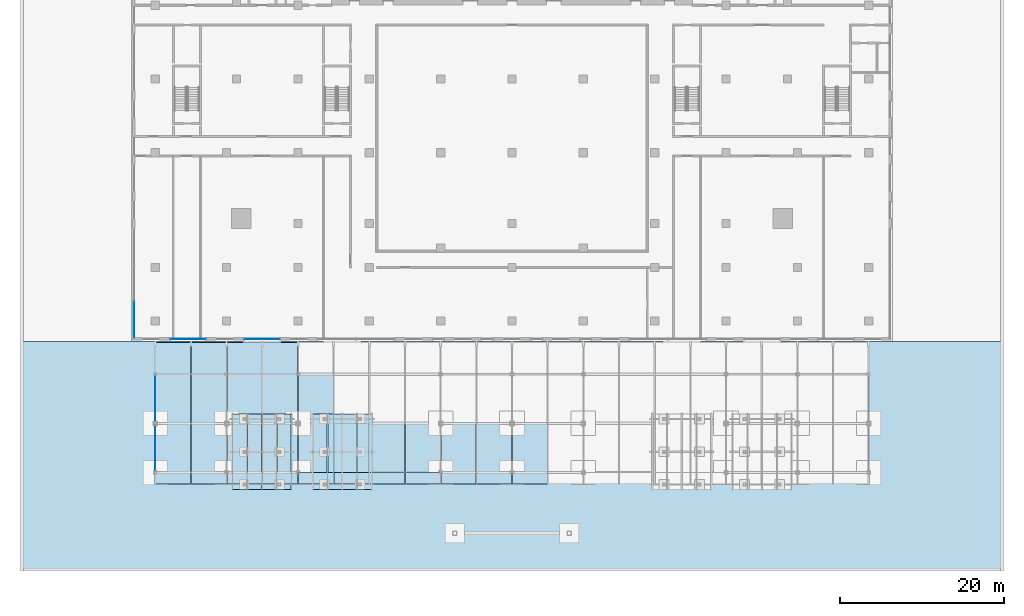
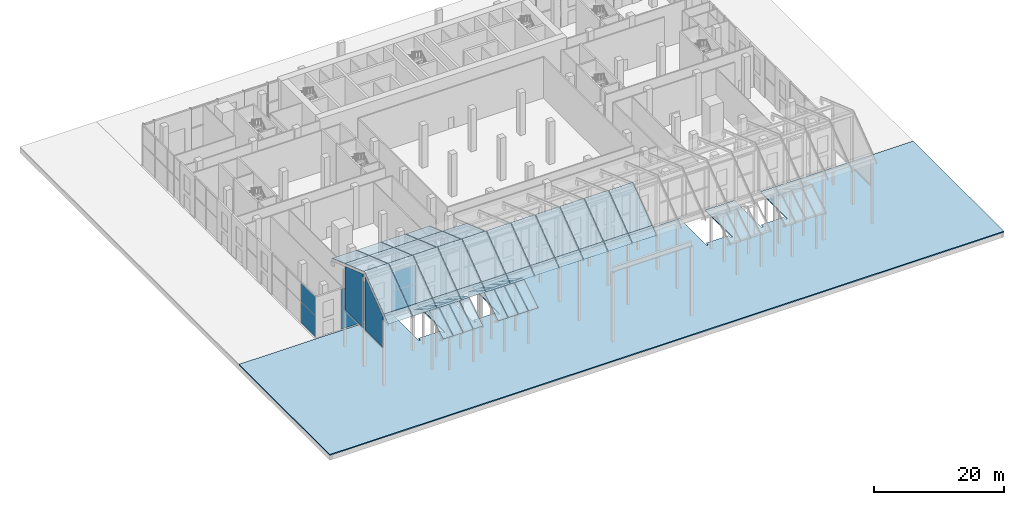
# One storey, part 16 of 31: 55 plates, 1 slab, 3 elements without a shape of their own.
"""IFC4 building model written with IfcOpenShell, lengths in metres."""

from ifc_helpers import new_model, si_unit, direction, frame, origin, origin_2d, place, context, subcontext, project, spatial, polyline, rectangle, outline, extrude, material, layer, layer_set, layer_usage, type_object, element, aggregate, save


model = new_model("IFC4")

# Units and contexts
model_context = context("Model", 3, precision=1e-05, world=origin(), true_north=direction((0.0, 1.0)))
body_context = subcontext(model_context, "Body", "Model", "MODEL_VIEW")
ifc_project = project(units=[si_unit("LENGTHUNIT", "METRE"), si_unit("AREAUNIT", "SQUARE_METRE"), si_unit("VOLUMEUNIT", "CUBIC_METRE"), si_unit("PLANEANGLEUNIT", "RADIAN"), si_unit("MASSUNIT", "GRAM", prefix="KILO")], contexts=[model_context])

# Site, building, storey
site_placement = place(None, origin())
site = spatial("IfcSite", under=ifc_project, at=site_placement, CompositionType="ELEMENT")
building_placement = place(site_placement, origin())
building = spatial("IfcBuilding", under=site, at=building_placement, Name="Bicima Exchange Tower", CompositionType="ELEMENT")
storey_placement = place(building_placement, origin())
storey = spatial("IfcBuildingStorey", under=building, at=storey_placement, Name="L00", CompositionType="ELEMENT", Elevation=0.0)

# Slab
ifc_material_1 = material(Name="Granite paving", Category="masonry")
ifc_layer_1 = layer(ifc_material_1, 0.2)
ifc_layer_set_1 = layer_set([ifc_layer_1], Name="Granite paving")
ifc_layer_usage = layer_usage(ifc_layer_set_1, "AXIS3", "POSITIVE", 0.0)
slab_type = type_object("IfcSlabType", Name="Granite paving 200", PredefinedType="USERDEFINED", material=ifc_layer_set_1)
slab_placement = place(storey_placement, frame((0.0, 0.0, -0.199951171875)))
element("IfcSlab", 1, at=slab_placement, inside=storey, type_object=slab_type, material=ifc_layer_usage, Name="Paving plaza", ObjectType="PAVING", PredefinedType="USERDEFINED", context=body_context, shape_type="SweptSolid", body=[
    extrude(outline(polyline([(60.0, -54.0), (60.0, -82.0), (-60.0, -82.0), (-60.0, -54.0), (-32.800048828125, -54.0), (-32.800048828125, -62.360107421875), (-32.5, -62.360107421875), (-32.5, -61.760009765625), (-28.5, -61.760009765625), (-28.5, -62.360107421875), (-28.199951171875, -62.360107421875), (-28.199951171875, -54.0), (-23.0, -54.0), (-23.0, -62.360107421875), (-22.699951171875, -62.360107421875), (-22.699951171875, -61.760009765625), (-18.699951171875, -61.760009765625), (-18.699951171875, -62.360107421875), (-18.39990234375, -62.360107421875), (-18.39990234375, -54.0), (18.39990234375, -54.0), (18.39990234375, -62.360107421875), (18.699951171875, -62.360107421875), (18.699951171875, -61.760009765625), (22.699951171875, -61.760009765625), (22.699951171875, -62.360107421875), (23.0, -62.360107421875), (23.0, -54.0), (28.199951171875, -54.0), (28.199951171875, -62.360107421875), (28.5, -62.360107421875), (28.5, -61.760009765625), (32.5, -61.760009765625), (32.5, -62.360107421875), (32.800048828125, -62.360107421875), (32.800048828125, -54.0), (60.0, -54.0)])), origin(), (0.0, 0.0, 1.0), 0.199951171875),
])

# Curtain wall, plates
ifc_material_2 = material(Name="Stainless steel", Category="steel")
curtain_wall_type_1 = type_object("IfcCurtainWallType", Name="Hall structural glazing", PredefinedType="NOTDEFINED", material=ifc_material_2)
curtain_wall_1_placement = place(storey_placement, origin())
curtain_wall_1 = element("IfcCurtainWall", 2, at=curtain_wall_1_placement, inside=storey, type_object=curtain_wall_type_1, Name="Podium glazing L00 south 2", PredefinedType="NOTDEFINED")
ifc_material_3 = material(Name="Clear low-iron glass", Category="glass")
ifc_layer_2 = layer(ifc_material_3, 0.0439453125)
ifc_layer_set_2 = layer_set([ifc_layer_2], Name="Clear low-iron glass")
plate_type_1 = type_object("IfcPlateType", Name="Hall structural glazing glass panel 44", PredefinedType="CURTAIN_PANEL", material=ifc_layer_set_2)
plate_1_placement = place(storey_placement, frame((-39.5, -53.699951171875, 0.0), z_axis=(0.0, 0.0, 1.0), x_axis=(1.0, 0.0, 0.0)))
plate_1 = element("IfcPlate", 3, at=plate_1_placement, type_object=plate_type_1, Name="Hall structural glazing panel 1.1", PredefinedType="CURTAIN_PANEL", context=body_context, shape_type="SweptSolid", body=[
    extrude(rectangle(XDim=4.340087890625, YDim=0.0439453125, at=origin_2d()), origin(), (0.0, 0.0, 1.0), 3.89990234375),
])
plate_2_placement = place(storey_placement, frame((-39.5, -53.699951171875, 4.0), z_axis=(0.0, 0.0, 1.0), x_axis=(1.0, 0.0, 0.0)))
plate_2 = element("IfcPlate", 4, at=plate_2_placement, type_object=plate_type_1, Name="Hall structural glazing panel 1.2", PredefinedType="CURTAIN_PANEL", context=body_context, shape_type="SweptSolid", body=[
    extrude(rectangle(XDim=4.340087890625, YDim=0.0439453125, at=origin_2d()), origin(), (0.0, 0.0, 1.0), 3.5),
])
aggregate(curtain_wall_1, [plate_1, plate_2])

curtain_wall_2_placement = place(storey_placement, origin())
curtain_wall_2 = element("IfcCurtainWall", 5, at=curtain_wall_2_placement, inside=storey, type_object=curtain_wall_type_1, Name="Podium glazing L00 south 4", PredefinedType="NOTDEFINED")
plate_3_placement = place(storey_placement, frame((-30.5, -53.699951171875, 0.0), z_axis=(0.0, 0.0, 1.0), x_axis=(1.0, 0.0, 0.0)))
plate_3 = element("IfcPlate", 6, at=plate_3_placement, type_object=plate_type_1, Name="Hall structural glazing panel 1.1", PredefinedType="CURTAIN_PANEL", context=body_context, shape_type="SweptSolid", body=[
    extrude(rectangle(XDim=4.340087890625, YDim=0.0439453125, at=origin_2d()), origin(), (0.0, 0.0, 1.0), 3.89990234375),
])
plate_4_placement = place(storey_placement, frame((-30.5, -53.699951171875, 4.0), z_axis=(0.0, 0.0, 1.0), x_axis=(1.0, 0.0, 0.0)))
plate_4 = element("IfcPlate", 7, at=plate_4_placement, type_object=plate_type_1, Name="Hall structural glazing panel 1.2", PredefinedType="CURTAIN_PANEL", context=body_context, shape_type="SweptSolid", body=[
    extrude(rectangle(XDim=4.340087890625, YDim=0.0439453125, at=origin_2d()), origin(), (0.0, 0.0, 1.0), 3.5),
])
aggregate(curtain_wall_2, [plate_3, plate_4])

ifc_material_4 = material(Name="Anodised bronze aluminium", Category="aluminium")
curtain_wall_type_2 = type_object("IfcCurtainWallType", Name="Lobby glazing", PredefinedType="NOTDEFINED", material=ifc_material_4)
curtain_wall_3_placement = place(storey_placement, origin())
curtain_wall_3 = element("IfcCurtainWall", 8, at=curtain_wall_3_placement, inside=storey, type_object=curtain_wall_type_2, Name="Podium glazing L00 west 8", PredefinedType="NOTDEFINED")
ifc_layer_3 = layer(ifc_material_3, 0.035888671875)
ifc_layer_set_3 = layer_set([ifc_layer_3], Name="Clear low-iron glass")
plate_type_2 = type_object("IfcPlateType", Name="Lobby glazing glass panel 36", PredefinedType="CURTAIN_PANEL", material=ifc_layer_set_3)
plate_5_placement = place(storey_placement, frame((-46.10009765625, -51.35498046875, 0.0), z_axis=(0.0, 0.0, 1.0), x_axis=(0.0, -1.0, 0.0)))
plate_5 = element("IfcPlate", 9, at=plate_5_placement, type_object=plate_type_2, Name="Lobby glazing panel 3.1", PredefinedType="CURTAIN_PANEL", context=body_context, shape_type="SweptSolid", body=[
    extrude(rectangle(XDim=4.3701171875, YDim=0.035888671875, at=origin_2d()), origin(), (0.0, 0.0, 1.0), 3.929931640625),
])
plate_6_placement = place(storey_placement, frame((-46.10009765625, -51.35498046875, 4.0), z_axis=(0.0, 0.0, 1.0), x_axis=(0.0, -1.0, 0.0)))
plate_6 = element("IfcPlate", 10, at=plate_6_placement, type_object=plate_type_2, Name="Lobby glazing panel 3.2", PredefinedType="CURTAIN_PANEL", context=body_context, shape_type="SweptSolid", body=[
    extrude(rectangle(XDim=4.3701171875, YDim=0.035888671875, at=origin_2d()), origin(), (0.0, 0.0, 1.0), 3.56005859375),
])
aggregate(curtain_wall_3, [plate_5, plate_6])

# Plates
ifc_material_5 = material(Name="Bronze tinted glass", Category="glass")
ifc_layer_4 = layer(ifc_material_5, 0.035888671875)
ifc_layer_set_4 = layer_set([ifc_layer_4], Name="Bronze tinted glass")
plate_type_3 = type_object("IfcPlateType", Name="Portico roof glass 36", PredefinedType="SHEET", material=ifc_layer_set_4)
plate_7_placement = place(storey_placement, frame((-43.4599609375, -54.10009765625, 14.251708984375), z_axis=(0.0, 0.329091475255, 0.944298046654), x_axis=(1.0, 0.0, 0.0)))
element("IfcPlate", 11, at=plate_7_placement, inside=storey, type_object=plate_type_3, Name="Portico roof glass", PredefinedType="SHEET", context=body_context, shape_type="SweptSolid", body=[
    extrude(outline(polyline([(0.0, 0.0), (4.27001953125, 0.0), (4.27001953125, -4.129948544920647), (0.0, -4.129948544920647), (0.0, 0.0)])), origin(), (0.0, 0.0, -1.0), 0.035888671875),
])
plate_8_placement = place(storey_placement, frame((-43.4599609375, -58.0, 15.61083984375), z_axis=(0.0, 0.329165826501, 0.944272131678), x_axis=(1.0, 0.0, 0.0)))
element("IfcPlate", 12, at=plate_8_placement, inside=storey, type_object=plate_type_3, Name="Portico roof glass", PredefinedType="SHEET", context=body_context, shape_type="SweptSolid", body=[
    extrude(outline(polyline([(0.0, 0.0), (4.27001953125, 0.0), (4.27001953125, -6.3541004745496075), (0.0, -6.3541004745496075), (0.0, 0.0)])), origin(), (0.0, 0.0, -1.0), 0.035888671875),
])
plate_9_placement = place(storey_placement, frame((-43.4599609375, -64.0, 17.82568359375), z_axis=(0.0, -0.598685075309, 0.800984507093), x_axis=(1.0, 0.0, 0.0)))
element("IfcPlate", 13, at=plate_9_placement, inside=storey, type_object=plate_type_3, Name="Portico roof glass", PredefinedType="SHEET", context=body_context, shape_type="SweptSolid", body=[
    extrude(outline(polyline([(0.0, 0.0), (4.27001953125, 0.0), (4.27001953125, -7.490781590492418), (0.0, -7.490781590492418), (0.0, 0.0)])), origin(), (0.0, 0.0, -1.0), 0.035888671875),
])
plate_10_placement = place(storey_placement, frame((-43.4599609375, -70.0, 13.341064453125), z_axis=(0.0, -0.598792513657, 0.800904192515), x_axis=(1.0, 0.0, 0.0)))
element("IfcPlate", 14, at=plate_10_placement, inside=storey, type_object=plate_type_3, Name="Portico roof glass", PredefinedType="SHEET", context=body_context, shape_type="SweptSolid", body=[
    extrude(outline(polyline([(0.0, 0.0), (4.27001953125, 0.0), (4.27001953125, -1.7479023793772908), (0.0, -1.7479023793772908), (0.0, 0.0)])), origin(), (0.0, 0.0, -1.0), 0.035888671875),
])
plate_11_placement = place(storey_placement, frame((-39.110107421875, -54.10009765625, 14.251708984375), z_axis=(0.0, 0.329091475255, 0.944298046654), x_axis=(1.0, 0.0, 0.0)))
element("IfcPlate", 15, at=plate_11_placement, inside=storey, type_object=plate_type_3, Name="Portico roof glass", PredefinedType="SHEET", context=body_context, shape_type="SweptSolid", body=[
    extrude(outline(polyline([(0.0, 0.0), (4.27001953125, 0.0), (4.27001953125, -4.129948544920647), (0.0, -4.129948544920647), (0.0, 0.0)])), origin(), (0.0, 0.0, -1.0), 0.035888671875),
])
plate_12_placement = place(storey_placement, frame((-39.110107421875, -58.0, 15.61083984375), z_axis=(0.0, 0.329165826501, 0.944272131678), x_axis=(1.0, 0.0, 0.0)))
element("IfcPlate", 16, at=plate_12_placement, inside=storey, type_object=plate_type_3, Name="Portico roof glass", PredefinedType="SHEET", context=body_context, shape_type="SweptSolid", body=[
    extrude(outline(polyline([(0.0, 0.0), (4.27001953125, 0.0), (4.27001953125, -6.3541004745496075), (0.0, -6.3541004745496075), (0.0, 0.0)])), origin(), (0.0, 0.0, -1.0), 0.035888671875),
])
plate_13_placement = place(storey_placement, frame((-39.110107421875, -64.0, 17.82568359375), z_axis=(0.0, -0.598685075309, 0.800984507093), x_axis=(1.0, 0.0, 0.0)))
element("IfcPlate", 17, at=plate_13_placement, inside=storey, type_object=plate_type_3, Name="Portico roof glass", PredefinedType="SHEET", context=body_context, shape_type="SweptSolid", body=[
    extrude(outline(polyline([(0.0, 0.0), (4.27001953125, 0.0), (4.27001953125, -7.490781590492418), (0.0, -7.490781590492418), (0.0, 0.0)])), origin(), (0.0, 0.0, -1.0), 0.035888671875),
])
plate_14_placement = place(storey_placement, frame((-39.110107421875, -70.0, 13.341064453125), z_axis=(0.0, -0.598792513657, 0.800904192515), x_axis=(1.0, 0.0, 0.0)))
element("IfcPlate", 18, at=plate_14_placement, inside=storey, type_object=plate_type_3, Name="Portico roof glass", PredefinedType="SHEET", context=body_context, shape_type="SweptSolid", body=[
    extrude(outline(polyline([(0.0, 0.0), (4.27001953125, 0.0), (4.27001953125, -1.7479023793772908), (0.0, -1.7479023793772908), (0.0, 0.0)])), origin(), (0.0, 0.0, -1.0), 0.035888671875),
])
plate_15_placement = place(storey_placement, frame((-34.760009765625, -54.10009765625, 14.251708984375), z_axis=(0.0, 0.329091475255, 0.944298046654), x_axis=(1.0, 0.0, 0.0)))
element("IfcPlate", 19, at=plate_15_placement, inside=storey, type_object=plate_type_3, Name="Portico roof glass", PredefinedType="SHEET", context=body_context, shape_type="SweptSolid", body=[
    extrude(outline(polyline([(0.0, 0.0), (4.27001953125, 0.0), (4.27001953125, -4.129948544920647), (0.0, -4.129948544920647), (0.0, 0.0)])), origin(), (0.0, 0.0, -1.0), 0.035888671875),
])
plate_16_placement = place(storey_placement, frame((-34.760009765625, -58.0, 15.61083984375), z_axis=(0.0, 0.329165826501, 0.944272131678), x_axis=(1.0, 0.0, 0.0)))
element("IfcPlate", 20, at=plate_16_placement, inside=storey, type_object=plate_type_3, Name="Portico roof glass", PredefinedType="SHEET", context=body_context, shape_type="SweptSolid", body=[
    extrude(outline(polyline([(0.0, 0.0), (4.27001953125, 0.0), (4.27001953125, -6.3541004745496075), (0.0, -6.3541004745496075), (0.0, 0.0)])), origin(), (0.0, 0.0, -1.0), 0.035888671875),
])
plate_17_placement = place(storey_placement, frame((-34.760009765625, -64.0, 17.82568359375), z_axis=(0.0, -0.598685075309, 0.800984507093), x_axis=(1.0, 0.0, 0.0)))
element("IfcPlate", 21, at=plate_17_placement, inside=storey, type_object=plate_type_3, Name="Portico roof glass", PredefinedType="SHEET", context=body_context, shape_type="SweptSolid", body=[
    extrude(outline(polyline([(0.0, 0.0), (4.27001953125, 0.0), (4.27001953125, -7.490781590492418), (0.0, -7.490781590492418), (0.0, 0.0)])), origin(), (0.0, 0.0, -1.0), 0.035888671875),
])
plate_18_placement = place(storey_placement, frame((-34.760009765625, -70.0, 13.341064453125), z_axis=(0.0, -0.598792513657, 0.800904192515), x_axis=(1.0, 0.0, 0.0)))
element("IfcPlate", 22, at=plate_18_placement, inside=storey, type_object=plate_type_3, Name="Portico roof glass", PredefinedType="SHEET", context=body_context, shape_type="SweptSolid", body=[
    extrude(outline(polyline([(0.0, 0.0), (4.27001953125, 0.0), (4.27001953125, -1.7479023793772908), (0.0, -1.7479023793772908), (0.0, 0.0)])), origin(), (0.0, 0.0, -1.0), 0.035888671875),
])
plate_19_placement = place(storey_placement, frame((-30.409912109375, -54.10009765625, 14.251708984375), z_axis=(0.0, 0.329091475255, 0.944298046654), x_axis=(1.0, 0.0, 0.0)))
element("IfcPlate", 23, at=plate_19_placement, inside=storey, type_object=plate_type_3, Name="Portico roof glass", PredefinedType="SHEET", context=body_context, shape_type="SweptSolid", body=[
    extrude(outline(polyline([(0.0, 0.0), (4.27001953125, 0.0), (4.27001953125, -4.129948544920647), (0.0, -4.129948544920647), (0.0, 0.0)])), origin(), (0.0, 0.0, -1.0), 0.035888671875),
])
plate_20_placement = place(storey_placement, frame((-30.409912109375, -58.0, 15.61083984375), z_axis=(0.0, 0.329165826501, 0.944272131678), x_axis=(1.0, 0.0, 0.0)))
element("IfcPlate", 24, at=plate_20_placement, inside=storey, type_object=plate_type_3, Name="Portico roof glass", PredefinedType="SHEET", context=body_context, shape_type="SweptSolid", body=[
    extrude(outline(polyline([(0.0, 0.0), (4.27001953125, 0.0), (4.27001953125, -6.3541004745496075), (0.0, -6.3541004745496075), (0.0, 0.0)])), origin(), (0.0, 0.0, -1.0), 0.035888671875),
])
plate_21_placement = place(storey_placement, frame((-30.409912109375, -64.0, 17.82568359375), z_axis=(0.0, -0.598685075309, 0.800984507093), x_axis=(1.0, 0.0, 0.0)))
element("IfcPlate", 25, at=plate_21_placement, inside=storey, type_object=plate_type_3, Name="Portico roof glass", PredefinedType="SHEET", context=body_context, shape_type="SweptSolid", body=[
    extrude(outline(polyline([(0.0, 0.0), (4.27001953125, 0.0), (4.27001953125, -7.490781590492418), (0.0, -7.490781590492418), (0.0, 0.0)])), origin(), (0.0, 0.0, -1.0), 0.035888671875),
])
plate_22_placement = place(storey_placement, frame((-30.409912109375, -70.0, 13.341064453125), z_axis=(0.0, -0.598792513657, 0.800904192515), x_axis=(1.0, 0.0, 0.0)))
element("IfcPlate", 26, at=plate_22_placement, inside=storey, type_object=plate_type_3, Name="Portico roof glass", PredefinedType="SHEET", context=body_context, shape_type="SweptSolid", body=[
    extrude(outline(polyline([(0.0, 0.0), (4.27001953125, 0.0), (4.27001953125, -1.7479023793772908), (0.0, -1.7479023793772908), (0.0, 0.0)])), origin(), (0.0, 0.0, -1.0), 0.035888671875),
])
plate_23_placement = place(storey_placement, frame((-26.06005859375, -58.0, 15.61083984375), z_axis=(0.0, 0.329165826501, 0.944272131678), x_axis=(1.0, 0.0, 0.0)))
element("IfcPlate", 27, at=plate_23_placement, inside=storey, type_object=plate_type_3, Name="Portico roof glass", PredefinedType="SHEET", context=body_context, shape_type="SweptSolid", body=[
    extrude(outline(polyline([(0.0, 0.0), (4.27001953125, 0.0), (4.27001953125, -6.3541004745496075), (0.0, -6.3541004745496075), (0.0, 0.0)])), origin(), (0.0, 0.0, -1.0), 0.035888671875),
])
plate_24_placement = place(storey_placement, frame((-26.06005859375, -64.0, 17.82568359375), z_axis=(0.0, -0.598685075309, 0.800984507093), x_axis=(1.0, 0.0, 0.0)))
element("IfcPlate", 28, at=plate_24_placement, inside=storey, type_object=plate_type_3, Name="Portico roof glass", PredefinedType="SHEET", context=body_context, shape_type="SweptSolid", body=[
    extrude(outline(polyline([(0.0, 0.0), (4.27001953125, 0.0), (4.27001953125, -7.490781590492418), (0.0, -7.490781590492418), (0.0, 0.0)])), origin(), (0.0, 0.0, -1.0), 0.035888671875),
])
plate_25_placement = place(storey_placement, frame((-26.06005859375, -70.0, 13.341064453125), z_axis=(0.0, -0.598792513657, 0.800904192515), x_axis=(1.0, 0.0, 0.0)))
element("IfcPlate", 29, at=plate_25_placement, inside=storey, type_object=plate_type_3, Name="Portico roof glass", PredefinedType="SHEET", context=body_context, shape_type="SweptSolid", body=[
    extrude(outline(polyline([(0.0, 0.0), (4.27001953125, 0.0), (4.27001953125, -1.7479023793772908), (0.0, -1.7479023793772908), (0.0, 0.0)])), origin(), (0.0, 0.0, -1.0), 0.035888671875),
])
plate_26_placement = place(storey_placement, frame((-21.7099609375, -64.0, 17.82568359375), z_axis=(0.0, -0.598685075309, 0.800984507093), x_axis=(1.0, 0.0, 0.0)))
element("IfcPlate", 30, at=plate_26_placement, inside=storey, type_object=plate_type_3, Name="Portico roof glass", PredefinedType="SHEET", context=body_context, shape_type="SweptSolid", body=[
    extrude(outline(polyline([(0.0, 0.0), (4.27001953125, 0.0), (4.27001953125, -7.490781590492418), (0.0, -7.490781590492418), (0.0, 0.0)])), origin(), (0.0, 0.0, -1.0), 0.035888671875),
])
plate_27_placement = place(storey_placement, frame((-21.7099609375, -70.0, 13.341064453125), z_axis=(0.0, -0.598792513657, 0.800904192515), x_axis=(1.0, 0.0, 0.0)))
element("IfcPlate", 31, at=plate_27_placement, inside=storey, type_object=plate_type_3, Name="Portico roof glass", PredefinedType="SHEET", context=body_context, shape_type="SweptSolid", body=[
    extrude(outline(polyline([(0.0, 0.0), (4.27001953125, 0.0), (4.27001953125, -1.7479023793772908), (0.0, -1.7479023793772908), (0.0, 0.0)])), origin(), (0.0, 0.0, -1.0), 0.035888671875),
])
plate_28_placement = place(storey_placement, frame((-17.360107421875, -64.0, 17.82568359375), z_axis=(0.0, -0.598685075309, 0.800984507093), x_axis=(1.0, 0.0, 0.0)))
element("IfcPlate", 32, at=plate_28_placement, inside=storey, type_object=plate_type_3, Name="Portico roof glass", PredefinedType="SHEET", context=body_context, shape_type="SweptSolid", body=[
    extrude(outline(polyline([(0.0, 0.0), (4.27001953125, 0.0), (4.27001953125, -7.490781590492418), (0.0, -7.490781590492418), (0.0, 0.0)])), origin(), (0.0, 0.0, -1.0), 0.035888671875),
])
plate_29_placement = place(storey_placement, frame((-17.360107421875, -70.0, 13.341064453125), z_axis=(0.0, -0.598792513657, 0.800904192515), x_axis=(1.0, 0.0, 0.0)))
element("IfcPlate", 33, at=plate_29_placement, inside=storey, type_object=plate_type_3, Name="Portico roof glass", PredefinedType="SHEET", context=body_context, shape_type="SweptSolid", body=[
    extrude(outline(polyline([(0.0, 0.0), (4.27001953125, 0.0), (4.27001953125, -1.7479023793772908), (0.0, -1.7479023793772908), (0.0, 0.0)])), origin(), (0.0, 0.0, -1.0), 0.035888671875),
])
plate_30_placement = place(storey_placement, frame((-13.010009765625, -64.0, 17.82568359375), z_axis=(0.0, -0.598685075309, 0.800984507093), x_axis=(1.0, 0.0, 0.0)))
element("IfcPlate", 34, at=plate_30_placement, inside=storey, type_object=plate_type_3, Name="Portico roof glass", PredefinedType="SHEET", context=body_context, shape_type="SweptSolid", body=[
    extrude(outline(polyline([(0.0, 0.0), (4.27001953125, 0.0), (4.27001953125, -7.490781590492418), (0.0, -7.490781590492418), (0.0, 0.0)])), origin(), (0.0, 0.0, -1.0), 0.035888671875),
])
plate_31_placement = place(storey_placement, frame((-13.010009765625, -70.0, 13.341064453125), z_axis=(0.0, -0.598792513657, 0.800904192515), x_axis=(1.0, 0.0, 0.0)))
element("IfcPlate", 35, at=plate_31_placement, inside=storey, type_object=plate_type_3, Name="Portico roof glass", PredefinedType="SHEET", context=body_context, shape_type="SweptSolid", body=[
    extrude(outline(polyline([(0.0, 0.0), (4.27001953125, 0.0), (4.27001953125, -1.7479023793772908), (0.0, -1.7479023793772908), (0.0, 0.0)])), origin(), (0.0, 0.0, -1.0), 0.035888671875),
])
plate_32_placement = place(storey_placement, frame((-8.659912109375, -64.0, 17.82568359375), z_axis=(0.0, -0.598685075309, 0.800984507093), x_axis=(1.0, 0.0, 0.0)))
element("IfcPlate", 36, at=plate_32_placement, inside=storey, type_object=plate_type_3, Name="Portico roof glass", PredefinedType="SHEET", context=body_context, shape_type="SweptSolid", body=[
    extrude(outline(polyline([(0.0, 0.0), (4.27001953125, 0.0), (4.27001953125, -7.490781590492418), (0.0, -7.490781590492418), (0.0, 0.0)])), origin(), (0.0, 0.0, -1.0), 0.035888671875),
])
plate_33_placement = place(storey_placement, frame((-8.659912109375, -70.0, 13.341064453125), z_axis=(0.0, -0.598792513657, 0.800904192515), x_axis=(1.0, 0.0, 0.0)))
element("IfcPlate", 37, at=plate_33_placement, inside=storey, type_object=plate_type_3, Name="Portico roof glass", PredefinedType="SHEET", context=body_context, shape_type="SweptSolid", body=[
    extrude(outline(polyline([(0.0, 0.0), (4.27001953125, 0.0), (4.27001953125, -1.7479023793772908), (0.0, -1.7479023793772908), (0.0, 0.0)])), origin(), (0.0, 0.0, -1.0), 0.035888671875),
])
plate_34_placement = place(storey_placement, frame((-4.31005859375, -64.0, 17.82568359375), z_axis=(0.0, -0.598685075309, 0.800984507093), x_axis=(1.0, 0.0, 0.0)))
element("IfcPlate", 38, at=plate_34_placement, inside=storey, type_object=plate_type_3, Name="Portico roof glass", PredefinedType="SHEET", context=body_context, shape_type="SweptSolid", body=[
    extrude(outline(polyline([(0.0, 0.0), (4.27001953125, 0.0), (4.27001953125, -7.490781590492418), (0.0, -7.490781590492418), (0.0, 0.0)])), origin(), (0.0, 0.0, -1.0), 0.035888671875),
])
plate_35_placement = place(storey_placement, frame((-4.31005859375, -70.0, 13.341064453125), z_axis=(0.0, -0.598792513657, 0.800904192515), x_axis=(1.0, 0.0, 0.0)))
element("IfcPlate", 39, at=plate_35_placement, inside=storey, type_object=plate_type_3, Name="Portico roof glass", PredefinedType="SHEET", context=body_context, shape_type="SweptSolid", body=[
    extrude(outline(polyline([(0.0, 0.0), (4.27001953125, 0.0), (4.27001953125, -1.7479023793772908), (0.0, -1.7479023793772908), (0.0, 0.0)])), origin(), (0.0, 0.0, -1.0), 0.035888671875),
])
plate_36_placement = place(storey_placement, frame((0.0400390625, -64.0, 17.82568359375), z_axis=(0.0, -0.598685075309, 0.800984507093), x_axis=(1.0, 0.0, 0.0)))
element("IfcPlate", 40, at=plate_36_placement, inside=storey, type_object=plate_type_3, Name="Portico roof glass", PredefinedType="SHEET", context=body_context, shape_type="SweptSolid", body=[
    extrude(outline(polyline([(0.0, 0.0), (4.27001953125, 0.0), (4.27001953125, -7.490781590492418), (0.0, -7.490781590492418), (0.0, 0.0)])), origin(), (0.0, 0.0, -1.0), 0.035888671875),
])
plate_37_placement = place(storey_placement, frame((0.0400390625, -70.0, 13.341064453125), z_axis=(0.0, -0.598792513657, 0.800904192515), x_axis=(1.0, 0.0, 0.0)))
element("IfcPlate", 41, at=plate_37_placement, inside=storey, type_object=plate_type_3, Name="Portico roof glass", PredefinedType="SHEET", context=body_context, shape_type="SweptSolid", body=[
    extrude(outline(polyline([(0.0, 0.0), (4.27001953125, 0.0), (4.27001953125, -1.7479023793772908), (0.0, -1.7479023793772908), (0.0, 0.0)])), origin(), (0.0, 0.0, -1.0), 0.035888671875),
])
plate_38_placement = place(storey_placement, frame((-43.51806640625, -58.203125, 7.0), z_axis=(-1.0, 0.0, 0.0), x_axis=(0.0, -1.0, 0.0)))
element("IfcPlate", 42, at=plate_38_placement, inside=storey, type_object=plate_type_3, Name="Portico gable glass", PredefinedType="SHEET", context=body_context, shape_type="SweptSolid", body=[
    extrude(outline(polyline([(0.0, 0.0), (5.54296875, 0.0), (5.54296875, 10.148681640625), (0.0, 8.216796875), (0.0, 0.0)])), origin(), (0.0, 0.0, -1.0), 0.035888671875),
])
plate_39_placement = place(storey_placement, frame((-43.51806640625, -64.25390625, 7.0), z_axis=(-1.0, 0.0, 0.0), x_axis=(0.0, -1.0, 0.0)))
element("IfcPlate", 43, at=plate_39_placement, inside=storey, type_object=plate_type_3, Name="Portico gable glass", PredefinedType="SHEET", context=body_context, shape_type="SweptSolid", body=[
    extrude(outline(polyline([(0.0, 0.0), (5.54296875, 0.0), (5.54296875, 5.9482421875), (0.0, 10.09130859375), (0.0, 0.0)])), origin(), (0.0, 0.0, -1.0), 0.035888671875),
])
plate_40_placement = place(storey_placement, frame((-34.06005859375, -62.860107421875, 6.591552734375), z_axis=(0.0, 0.529937998494, 0.848036389403), x_axis=(1.0, 0.0, 0.0)))
element("IfcPlate", 44, at=plate_40_placement, inside=storey, type_object=plate_type_3, Name="Pavilion roof glass", PredefinedType="SHEET", context=body_context, shape_type="SweptSolid", body=[
    extrude(outline(polyline([(0.0, 0.0), (1.719970703125, 0.0), (1.719970703125, -5.4016674332803065), (0.0, -5.4016674332803065), (0.0, 0.0)])), origin(), (0.0, 0.0, -1.0), 0.035888671875),
])
plate_41_placement = place(storey_placement, frame((-34.06005859375, -67.47900390625, 9.4541015625), z_axis=(0.0, -0.529917687164, 0.848049081616), x_axis=(1.0, 0.0, 0.0)))
element("IfcPlate", 45, at=plate_41_placement, inside=storey, type_object=plate_type_3, Name="Pavilion roof glass", PredefinedType="SHEET", context=body_context, shape_type="SweptSolid", body=[
    extrude(outline(polyline([(0.0, 0.0), (1.719970703125, 0.0), (1.719970703125, -5.40187447496381), (0.0, -5.40187447496381), (0.0, 0.0)])), origin(), (0.0, 0.0, -1.0), 0.035888671875),
])
plate_42_placement = place(storey_placement, frame((-32.260009765625, -62.860107421875, 6.591552734375), z_axis=(0.0, 0.529937998494, 0.848036389403), x_axis=(1.0, 0.0, 0.0)))
element("IfcPlate", 46, at=plate_42_placement, inside=storey, type_object=plate_type_3, Name="Pavilion roof glass", PredefinedType="SHEET", context=body_context, shape_type="SweptSolid", body=[
    extrude(outline(polyline([(0.0, 0.0), (1.719970703125, 0.0), (1.719970703125, -5.4016674332803065), (0.0, -5.4016674332803065), (0.0, 0.0)])), origin(), (0.0, 0.0, -1.0), 0.035888671875),
])
plate_43_placement = place(storey_placement, frame((-32.260009765625, -67.47900390625, 9.4541015625), z_axis=(0.0, -0.529917687164, 0.848049081616), x_axis=(1.0, 0.0, 0.0)))
element("IfcPlate", 47, at=plate_43_placement, inside=storey, type_object=plate_type_3, Name="Pavilion roof glass", PredefinedType="SHEET", context=body_context, shape_type="SweptSolid", body=[
    extrude(outline(polyline([(0.0, 0.0), (1.719970703125, 0.0), (1.719970703125, -5.40187447496381), (0.0, -5.40187447496381), (0.0, 0.0)])), origin(), (0.0, 0.0, -1.0), 0.035888671875),
])
plate_44_placement = place(storey_placement, frame((-30.4599609375, -62.860107421875, 6.591552734375), z_axis=(0.0, 0.529937998494, 0.848036389403), x_axis=(1.0, 0.0, 0.0)))
element("IfcPlate", 48, at=plate_44_placement, inside=storey, type_object=plate_type_3, Name="Pavilion roof glass", PredefinedType="SHEET", context=body_context, shape_type="SweptSolid", body=[
    extrude(outline(polyline([(0.0, 0.0), (1.719970703125, 0.0), (1.719970703125, -5.4016674332803065), (0.0, -5.4016674332803065), (0.0, 0.0)])), origin(), (0.0, 0.0, -1.0), 0.035888671875),
])
plate_45_placement = place(storey_placement, frame((-30.4599609375, -67.47900390625, 9.4541015625), z_axis=(0.0, -0.529917687164, 0.848049081616), x_axis=(1.0, 0.0, 0.0)))
element("IfcPlate", 49, at=plate_45_placement, inside=storey, type_object=plate_type_3, Name="Pavilion roof glass", PredefinedType="SHEET", context=body_context, shape_type="SweptSolid", body=[
    extrude(outline(polyline([(0.0, 0.0), (1.719970703125, 0.0), (1.719970703125, -5.40187447496381), (0.0, -5.40187447496381), (0.0, 0.0)])), origin(), (0.0, 0.0, -1.0), 0.035888671875),
])
plate_46_placement = place(storey_placement, frame((-28.659912109375, -62.860107421875, 6.591552734375), z_axis=(0.0, 0.529937998494, 0.848036389403), x_axis=(1.0, 0.0, 0.0)))
element("IfcPlate", 50, at=plate_46_placement, inside=storey, type_object=plate_type_3, Name="Pavilion roof glass", PredefinedType="SHEET", context=body_context, shape_type="SweptSolid", body=[
    extrude(outline(polyline([(0.0, 0.0), (1.719970703125, 0.0), (1.719970703125, -5.4016674332803065), (0.0, -5.4016674332803065), (0.0, 0.0)])), origin(), (0.0, 0.0, -1.0), 0.035888671875),
])
plate_47_placement = place(storey_placement, frame((-28.659912109375, -67.47900390625, 9.4541015625), z_axis=(0.0, -0.529917687164, 0.848049081616), x_axis=(1.0, 0.0, 0.0)))
element("IfcPlate", 51, at=plate_47_placement, inside=storey, type_object=plate_type_3, Name="Pavilion roof glass", PredefinedType="SHEET", context=body_context, shape_type="SweptSolid", body=[
    extrude(outline(polyline([(0.0, 0.0), (1.719970703125, 0.0), (1.719970703125, -5.40187447496381), (0.0, -5.40187447496381), (0.0, 0.0)])), origin(), (0.0, 0.0, -1.0), 0.035888671875),
])
plate_48_placement = place(storey_placement, frame((-24.260009765625, -62.860107421875, 6.591552734375), z_axis=(0.0, 0.529937998494, 0.848036389403), x_axis=(1.0, 0.0, 0.0)))
element("IfcPlate", 52, at=plate_48_placement, inside=storey, type_object=plate_type_3, Name="Pavilion roof glass", PredefinedType="SHEET", context=body_context, shape_type="SweptSolid", body=[
    extrude(outline(polyline([(0.0, 0.0), (1.719970703125, 0.0), (1.719970703125, -5.4016674332803065), (0.0, -5.4016674332803065), (0.0, 0.0)])), origin(), (0.0, 0.0, -1.0), 0.035888671875),
])
plate_49_placement = place(storey_placement, frame((-24.260009765625, -67.47900390625, 9.4541015625), z_axis=(0.0, -0.529917687164, 0.848049081616), x_axis=(1.0, 0.0, 0.0)))
element("IfcPlate", 53, at=plate_49_placement, inside=storey, type_object=plate_type_3, Name="Pavilion roof glass", PredefinedType="SHEET", context=body_context, shape_type="SweptSolid", body=[
    extrude(outline(polyline([(0.0, 0.0), (1.719970703125, 0.0), (1.719970703125, -5.40187447496381), (0.0, -5.40187447496381), (0.0, 0.0)])), origin(), (0.0, 0.0, -1.0), 0.035888671875),
])
plate_50_placement = place(storey_placement, frame((-22.4599609375, -62.860107421875, 6.591552734375), z_axis=(0.0, 0.529937998494, 0.848036389403), x_axis=(1.0, 0.0, 0.0)))
element("IfcPlate", 54, at=plate_50_placement, inside=storey, type_object=plate_type_3, Name="Pavilion roof glass", PredefinedType="SHEET", context=body_context, shape_type="SweptSolid", body=[
    extrude(outline(polyline([(0.0, 0.0), (1.719970703125, 0.0), (1.719970703125, -5.4016674332803065), (0.0, -5.4016674332803065), (0.0, 0.0)])), origin(), (0.0, 0.0, -1.0), 0.035888671875),
])
plate_51_placement = place(storey_placement, frame((-22.4599609375, -67.47900390625, 9.4541015625), z_axis=(0.0, -0.529917687164, 0.848049081616), x_axis=(1.0, 0.0, 0.0)))
element("IfcPlate", 55, at=plate_51_placement, inside=storey, type_object=plate_type_3, Name="Pavilion roof glass", PredefinedType="SHEET", context=body_context, shape_type="SweptSolid", body=[
    extrude(outline(polyline([(0.0, 0.0), (1.719970703125, 0.0), (1.719970703125, -5.40187447496381), (0.0, -5.40187447496381), (0.0, 0.0)])), origin(), (0.0, 0.0, -1.0), 0.035888671875),
])
plate_52_placement = place(storey_placement, frame((-20.659912109375, -62.860107421875, 6.591552734375), z_axis=(0.0, 0.529937998494, 0.848036389403), x_axis=(1.0, 0.0, 0.0)))
element("IfcPlate", 56, at=plate_52_placement, inside=storey, type_object=plate_type_3, Name="Pavilion roof glass", PredefinedType="SHEET", context=body_context, shape_type="SweptSolid", body=[
    extrude(outline(polyline([(0.0, 0.0), (1.719970703125, 0.0), (1.719970703125, -5.4016674332803065), (0.0, -5.4016674332803065), (0.0, 0.0)])), origin(), (0.0, 0.0, -1.0), 0.035888671875),
])
plate_53_placement = place(storey_placement, frame((-20.659912109375, -67.47900390625, 9.4541015625), z_axis=(0.0, -0.529917687164, 0.848049081616), x_axis=(1.0, 0.0, 0.0)))
element("IfcPlate", 57, at=plate_53_placement, inside=storey, type_object=plate_type_3, Name="Pavilion roof glass", PredefinedType="SHEET", context=body_context, shape_type="SweptSolid", body=[
    extrude(outline(polyline([(0.0, 0.0), (1.719970703125, 0.0), (1.719970703125, -5.40187447496381), (0.0, -5.40187447496381), (0.0, 0.0)])), origin(), (0.0, 0.0, -1.0), 0.035888671875),
])
plate_54_placement = place(storey_placement, frame((-18.860107421875, -62.860107421875, 6.591552734375), z_axis=(0.0, 0.529937998494, 0.848036389403), x_axis=(1.0, 0.0, 0.0)))
element("IfcPlate", 58, at=plate_54_placement, inside=storey, type_object=plate_type_3, Name="Pavilion roof glass", PredefinedType="SHEET", context=body_context, shape_type="SweptSolid", body=[
    extrude(outline(polyline([(0.0, 0.0), (1.72021484375, 0.0), (1.72021484375, -5.4016674332803065), (0.0, -5.4016674332803065), (0.0, 0.0)])), origin(), (0.0, 0.0, -1.0), 0.035888671875),
])
plate_55_placement = place(storey_placement, frame((-18.860107421875, -67.47900390625, 9.4541015625), z_axis=(0.0, -0.529917687164, 0.848049081616), x_axis=(1.0, 0.0, 0.0)))
element("IfcPlate", 59, at=plate_55_placement, inside=storey, type_object=plate_type_3, Name="Pavilion roof glass", PredefinedType="SHEET", context=body_context, shape_type="SweptSolid", body=[
    extrude(outline(polyline([(0.0, 0.0), (1.72021484375, 0.0), (1.72021484375, -5.40187447496381), (0.0, -5.40187447496381), (0.0, 0.0)])), origin(), (0.0, 0.0, -1.0), 0.035888671875),
])

save(model, "model.ifc")
